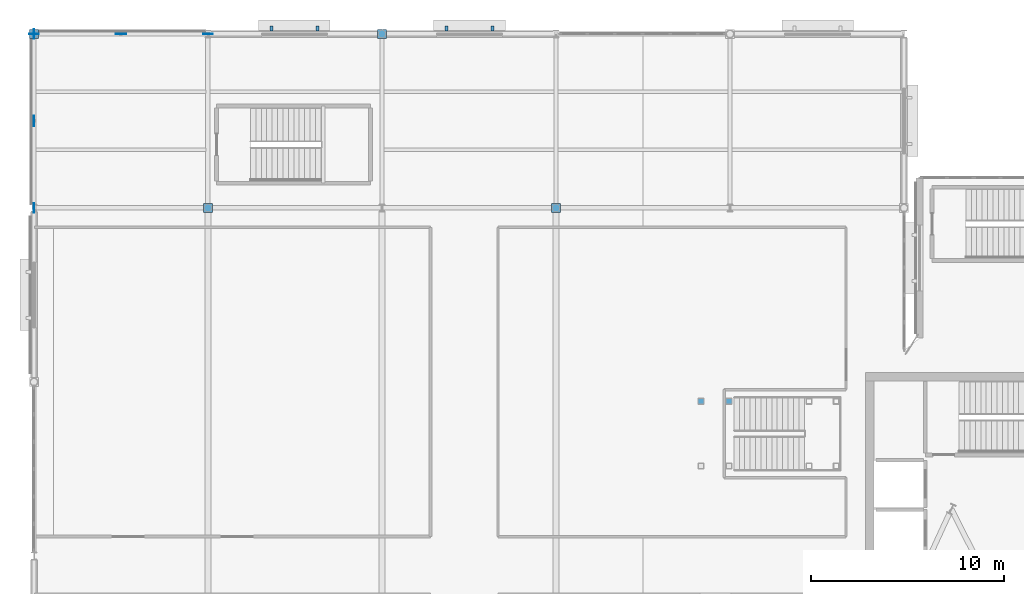
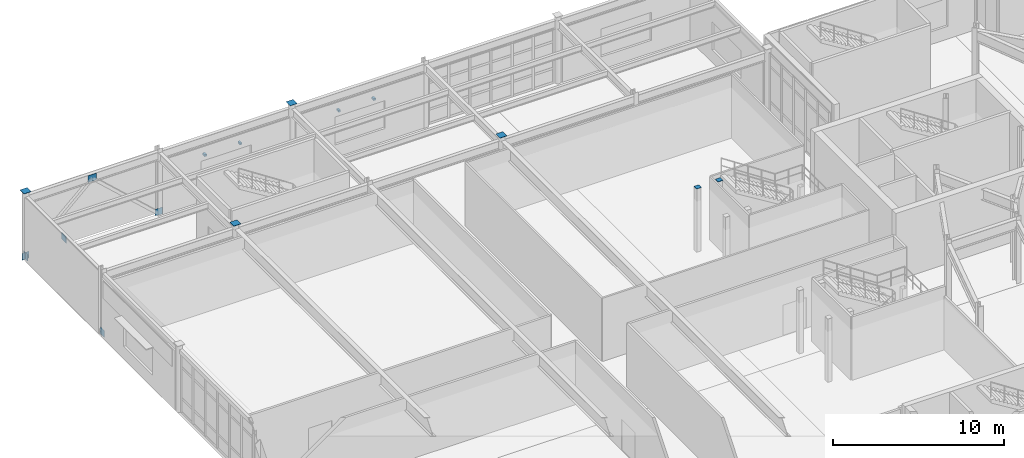
# One storey, part 74 of 84: 16 discrete accessories.
"""IFC4 building model written with IfcOpenShell, lengths in metres."""

import ifcopenshell
import ifcopenshell.guid

model = None  # the IFC model being written
_history = None  # IfcOwnerHistory: only IFC2X3 demands one
_inside = {}  # id of a spatial element -> (the spatial element, [elements in it])
_under = {}  # id of a project, library or spatial element -> (it, [spatial elements below it])
_declared = {}  # id of a project -> (the project, [libraries it declares])
_typed = {}  # id of a type object -> (the type object, [elements of that type])
_made_of = {}  # id of a material, layer set ... -> (it, [elements and type objects made of it])


def new_model(schema):
    """Start an empty IFC model of exactly this schema.

    Asked for "IFC4X3", IfcOpenShell would pick the latest addendum, in which some entities
    have other attributes; the version numbers below select the first issue.
    IFC2X3 requires an IfcOwnerHistory on every rooted entity: one is made here for all.
    """
    global model, _history
    if schema == "IFC4X3":
        model = ifcopenshell.file(schema_version=(4, 3, 0, 0))
    else:
        model = ifcopenshell.file(schema=schema)
    _inside.clear()
    _under.clear()
    _declared.clear()
    _typed.clear()
    _made_of.clear()
    _history = None
    if model.schema == "IFC2X3":
        org = make("IfcOrganization", Name="unknown")
        user = make(
            "IfcPersonAndOrganization",
            ThePerson=make("IfcPerson", FamilyName="unknown"),
            TheOrganization=org,
        )
        app = make(
            "IfcApplication",
            ApplicationDeveloper=org,
            Version="unknown",
            ApplicationFullName="unknown",
            ApplicationIdentifier="unknown",
        )
        _history = make(
            "IfcOwnerHistory",
            OwningUser=user,
            OwningApplication=app,
            ChangeAction="ADDED",
            CreationDate=0,
        )
    return model


def make(cls, **values):
    """One entity of the class cls with the attributes given. An attribute that is None is left unset."""
    return model.create_entity(
        cls, **{name: value for name, value in values.items() if value is not None}
    )


def rooted(cls, **values):
    """An entity with a GlobalId (a new one), such as an element, a storey or a relation."""
    return make(cls, GlobalId=ifcopenshell.guid.new(), OwnerHistory=_history, **values)


def si_unit(unit_type, name, prefix=None):
    """IfcSIUnit, for example si_unit("LENGTHUNIT", "METRE", prefix="MILLI")."""
    return make("IfcSIUnit", UnitType=unit_type, Prefix=prefix, Name=name)


def assignment(units):
    """IfcUnitAssignment: the units of a project."""
    return None if units is None else make("IfcUnitAssignment", Units=units)


def point(xyz):
    """IfcCartesianPoint."""
    return None if xyz is None else make("IfcCartesianPoint", Coordinates=xyz)


def direction(xyz):
    """IfcDirection."""
    return None if xyz is None else make("IfcDirection", DirectionRatios=xyz)


def frame(location, z_axis=None, x_axis=None):
    """IfcAxis2Placement3D, a coordinate frame: its origin and axes. An axis left out is left unset."""
    return make(
        "IfcAxis2Placement3D",
        Location=point(location),
        Axis=direction(z_axis),
        RefDirection=direction(x_axis),
    )


def frame_2d(location, x_axis=None):
    """IfcAxis2Placement2D, a coordinate frame in the plane: its origin and x axis."""
    return make(
        "IfcAxis2Placement2D", Location=point(location), RefDirection=direction(x_axis)
    )


def origin():
    """The frame at (0, 0, 0) with its axes left unset."""
    return frame((0.0, 0.0, 0.0))


def origin_2d():
    """The frame at (0, 0) in the plane with its x axis left unset."""
    return frame_2d((0.0, 0.0))


def place(relative_to, where):
    """IfcLocalPlacement: puts the frame where relative to a parent placement (None: the world)."""
    return make(
        "IfcLocalPlacement", PlacementRelTo=relative_to, RelativePlacement=where
    )


def context(
    kind, dimensions, precision=None, world=None, true_north=None, identifier=None
):
    """IfcGeometricRepresentationContext, for example the 3D "Model" context."""
    return make(
        "IfcGeometricRepresentationContext",
        ContextIdentifier=identifier,
        ContextType=kind,
        CoordinateSpaceDimension=dimensions,
        Precision=precision,
        WorldCoordinateSystem=world,
        TrueNorth=true_north,
    )


def subcontext(parent, identifier, kind, view, scale=None):
    """IfcGeometricRepresentationSubContext, for example "Body" below "Model"."""
    return make(
        "IfcGeometricRepresentationSubContext",
        ContextIdentifier=identifier,
        ContextType=kind,
        ParentContext=parent,
        TargetScale=scale,
        TargetView=view,
    )


def project(units=None, contexts=None):
    """IfcProject with its units and contexts."""
    return rooted(
        "IfcProject",
        Name="project",
        RepresentationContexts=contexts,
        UnitsInContext=assignment(units),
    )


def spatial(cls, under=None, at=None, **own):
    """A site, building, storey or space (cls), placed at a placement, below another one or the project."""
    s = rooted(cls, ObjectPlacement=at, **own)
    if under is not None:
        _under.setdefault(under.id(), (under, []))[1].append(s)
    return s


def profile(cls, at=None, kind="AREA", **sizes):
    """A parametric profile (cls). Its sizes go by their IFC names, for example OverallWidth=200.0."""
    return make(cls, ProfileType=kind, Position=at, **sizes)


def rectangle(**sizes):
    """IfcRectangleProfileDef."""
    return profile("IfcRectangleProfileDef", **sizes)


def extrude(swept, where, along, depth):
    """IfcExtrudedAreaSolid: the profile swept, set in the frame where, extruded along a direction by depth."""
    return make(
        "IfcExtrudedAreaSolid",
        SweptArea=swept,
        Position=where,
        ExtrudedDirection=direction(along),
        Depth=depth,
    )


def shape(context_of_items, identifier, shape_type, items):
    """IfcShapeRepresentation: the items that make up one representation, for example the "Body"."""
    return make(
        "IfcShapeRepresentation",
        ContextOfItems=context_of_items,
        RepresentationIdentifier=identifier,
        RepresentationType=shape_type,
        Items=items,
    )


def material(Name=None, Category=None):
    """IfcMaterial."""
    return make("IfcMaterial", Name=Name, Category=Category)


def made_of(thing, what):
    """Note that an element or type object is made of a material, layer set ...; save() writes the relation."""
    if what is not None:
        _made_of.setdefault(what.id(), (what, []))[1].append(thing)
    return thing


def type_object(cls, material=None, **own):
    """A type object (cls), such as IfcWallType, which elements share."""
    return made_of(rooted(cls, **own), material)


def element(
    cls,
    number,
    at=None,
    inside=None,
    cuts=None,
    type_object=None,
    material=None,
    context=None,
    identifier="Body",
    shape_type=None,
    held_by="IfcProductDefinitionShape",
    body=None,
    shapes=None,
    **own,
):
    """One element of the class cls, such as IfcWall. Its Tag is "e" and its number.

    at: its placement. inside: the storey or other place that contains it. cuts: it is an
    opening in that element (IfcRelVoidsElement). A single representation is given by context,
    identifier, shape_type and body (its items); several are given by shapes. held_by: the class
    of the entity that holds the representations. save() writes the other relations.
    """
    e = rooted(cls, Tag="e%d" % number, ObjectPlacement=at, **own)
    if body is not None:
        shapes = [shape(context, identifier, shape_type, body)]
    if shapes is not None:
        e.Representation = make(held_by, Representations=shapes)
    if inside is not None:
        _inside.setdefault(inside.id(), (inside, []))[1].append(e)
    if cuts is not None:
        rooted(
            "IfcRelVoidsElement", RelatingBuildingElement=cuts, RelatedOpeningElement=e
        )
    if type_object is not None:
        _typed.setdefault(type_object.id(), (type_object, []))[1].append(e)
    return made_of(e, material)


def aggregate(whole, parts):
    """IfcRelAggregates: a whole, such as a stair, and the parts it consists of."""
    return rooted("IfcRelAggregates", RelatingObject=whole, RelatedObjects=parts)


def save(model, path):
    """Write the relations noted so far, then the file.

    IfcRelAggregates (storeys below a building ...), IfcRelContainedInSpatialStructure (elements
    in a storey), IfcRelDefinesByType, IfcRelAssociatesMaterial and IfcRelDeclares: one each for
    every whole, place, type object, material and project.
    """
    for whole, parts in _under.values():
        aggregate(whole, parts)
    for where, things in _inside.values():
        rooted(
            "IfcRelContainedInSpatialStructure",
            RelatedElements=things,
            RelatingStructure=where,
        )
    for kind, things in _typed.values():
        rooted("IfcRelDefinesByType", RelatedObjects=things, RelatingType=kind)
    for what, things in _made_of.values():
        rooted("IfcRelAssociatesMaterial", RelatedObjects=things, RelatingMaterial=what)
    for by, libraries in _declared.values():
        rooted("IfcRelDeclares", RelatingContext=by, RelatedDefinitions=libraries)
    model.write(path)


model = new_model("IFC4")

# Units and contexts
model_context = context("Model", 3, precision=1e-05, world=origin(), true_north=direction((0.0, 1.0)))
body_context = subcontext(model_context, "Body", "Model", "MODEL_VIEW")
ifc_project = project(units=[si_unit("LENGTHUNIT", "METRE"), si_unit("AREAUNIT", "SQUARE_METRE"), si_unit("VOLUMEUNIT", "CUBIC_METRE"), si_unit("PLANEANGLEUNIT", "RADIAN"), si_unit("MASSUNIT", "GRAM", prefix="KILO")], contexts=[model_context])

# Site, building, storey
site_placement = place(None, origin())
site = spatial("IfcSite", under=ifc_project, at=site_placement, CompositionType="ELEMENT")
building_placement = place(site_placement, origin())
building = spatial("IfcBuilding", under=site, at=building_placement, Name="Glasvene Arena", CompositionType="ELEMENT")
storey_placement = place(building_placement, frame((0.0, 0.0, 10.199951171875)))
storey = spatial("IfcBuildingStorey", under=building, at=storey_placement, Name="L02", CompositionType="ELEMENT", Elevation=10.199951171875)

# Discrete accessories
ifc_material_1 = material(Name="Steel S355J2", Category="steel")
discrete_accessory_type_1 = type_object("IfcDiscreteAccessoryType", Name="ACC-BRACE-GP20", PredefinedType="BRACKET", material=ifc_material_1)
for number, where, z_axis, x_axis, name in (
    (1, (0.0, 109.0, -0.06982421875), (0.0, 0.0, 1.0), (1.0, 0.0, 0.0), "Chevron brace base gusset plate L02-021-A"),
    (2, (0.0, 118.0, -0.06982421875), (0.0, 0.0, 1.0), (1.0, 0.0, 0.0), "Chevron brace base gusset plate L02-022-B"),
):
    element("IfcDiscreteAccessory", number, at=place(storey_placement, frame(where, z_axis=z_axis, x_axis=x_axis)), inside=storey, type_object=discrete_accessory_type_1, Name=name, PredefinedType="BRACKET", context=body_context, shape_type="SweptSolid", body=[
        extrude(rectangle(XDim=0.02001953125, YDim=0.47998046875, at=origin_2d()), origin(), (0.0, 0.0, 1.0), 0.47998046875),
    ])
discrete_accessory_1_placement = place(storey_placement, frame((0.0, 113.5, 3.93017578125), z_axis=(0.0, 0.0, 1.0), x_axis=(1.0, 0.0, 0.0)))
element("IfcDiscreteAccessory", 3, at=discrete_accessory_1_placement, inside=storey, type_object=discrete_accessory_type_1, Name="Chevron brace apex gusset plate L02-022", PredefinedType="BRACKET", context=body_context, shape_type="SweptSolid", body=[
    extrude(rectangle(XDim=0.02001953125, YDim=0.56005859375, at=origin_2d()), origin(), (0.0, 0.0, 1.0), 0.47998046875),
])
for number, where, z_axis, x_axis, name in (
    (4, (0.0, 118.0, -0.06982421875), (0.0, 0.0, 1.0), (1.0, 0.0, 0.0), "Chevron brace base gusset plate L02-029-A"),
    (5, (9.0, 118.0, -0.06982421875), (0.0, 0.0, 1.0), (1.0, 0.0, 0.0), "Chevron brace base gusset plate L02-030-B"),
):
    element("IfcDiscreteAccessory", number, at=place(storey_placement, frame(where, z_axis=z_axis, x_axis=x_axis)), inside=storey, type_object=discrete_accessory_type_1, Name=name, PredefinedType="BRACKET", context=body_context, shape_type="SweptSolid", body=[
        extrude(rectangle(XDim=0.47998046875, YDim=0.02001953125, at=origin_2d()), origin(), (0.0, 0.0, 1.0), 0.47998046875),
    ])
discrete_accessory_2_placement = place(storey_placement, frame((4.5, 118.0, 3.93017578125), z_axis=(0.0, 0.0, 1.0), x_axis=(1.0, 0.0, 0.0)))
element("IfcDiscreteAccessory", 6, at=discrete_accessory_2_placement, inside=storey, type_object=discrete_accessory_type_1, Name="Chevron brace apex gusset plate L02-030", PredefinedType="BRACKET", context=body_context, shape_type="SweptSolid", body=[
    extrude(rectangle(XDim=0.56005859375, YDim=0.02001953125, at=origin_2d()), origin(), (0.0, 0.0, 1.0), 0.47998046875),
])
discrete_accessory_type_2 = type_object("IfcDiscreteAccessoryType", Name="ACC-CAP-CHS420", PredefinedType="USERDEFINED", material=ifc_material_1)
for number, where, z_axis, x_axis, name in (
    (7, (0.0, 118.0, 4.798095703125), (0.0, 0.0, 1.0), (1.0, 0.0, 0.0), "Hollow column top cap plate 1-14 L02"),
    (8, (9.0, 109.0, 4.798095703125), (0.0, 0.0, 1.0), (1.0, 0.0, 0.0), "Hollow column top cap plate 2-13 L02"),
    (9, (18.0, 118.0, 4.798095703125), (0.0, 0.0, 1.0), (1.0, 0.0, 0.0), "Hollow column top cap plate 3-14 L02"),
    (10, (27.0, 109.0, 4.798095703125), (0.0, 0.0, 1.0), (1.0, 0.0, 0.0), "Hollow column top cap plate 4-13 L02"),
):
    element("IfcDiscreteAccessory", number, at=place(storey_placement, frame(where, z_axis=z_axis, x_axis=x_axis)), inside=storey, type_object=discrete_accessory_type_2, Name=name, ObjectType="CAP PLATE", PredefinedType="USERDEFINED", context=body_context, shape_type="SweptSolid", body=[
        extrude(rectangle(XDim=0.47998046875, YDim=0.47998046875, at=origin_2d()), origin(), (0.0, 0.0, 1.0), 0.02001953125),
    ])
discrete_accessory_type_3 = type_object("IfcDiscreteAccessoryType", Name="ACC-CAP-SHS320", PredefinedType="USERDEFINED", material=ifc_material_1)
for number, where, z_axis, x_axis, name in (
    (11, (34.5, 99.0, 4.51806640625), (0.0, 0.0, 1.0), (1.0, 0.0, 0.0), "Vomitory column cap plate VOM-06"),
    (12, (35.949951171875, 99.0, 4.51806640625), (0.0, 0.0, 1.0), (1.0, 0.0, 0.0), "Vomitory column cap plate VOM-06"),
):
    element("IfcDiscreteAccessory", number, at=place(storey_placement, frame(where, z_axis=z_axis, x_axis=x_axis)), inside=storey, type_object=discrete_accessory_type_3, Name=name, ObjectType="CAP PLATE", PredefinedType="USERDEFINED", context=body_context, shape_type="SweptSolid", body=[
        extrude(rectangle(XDim=0.320068359375, YDim=0.320068359375, at=origin_2d()), origin(), (0.0, 0.0, 1.0), 0.02001953125),
    ])
ifc_material_2 = material(Name="Warm bronze architectural aluminium", Category="aluminium")
discrete_accessory_type_4 = type_object("IfcDiscreteAccessoryType", Name="ACC-FIN-BRK", PredefinedType="BRACKET", material=ifc_material_2)
for number, where, z_axis, x_axis, name in (
    (13, (12.283447265625, 118.280029296875, 2.8701171875), (0.0, 0.0, 1.0), (1.0, 0.0, 0.0), "Brise-soleil wall bracket BK-047"),
    (14, (14.663330078125, 118.280029296875, 2.8701171875), (0.0, 0.0, 1.0), (1.0, 0.0, 0.0), "Brise-soleil wall bracket BK-047"),
    (15, (21.336669921875, 118.280029296875, 2.8701171875), (0.0, 0.0, 1.0), (1.0, 0.0, 0.0), "Brise-soleil wall bracket BK-048"),
    (16, (23.716552734375, 118.280029296875, 2.8701171875), (0.0, 0.0, 1.0), (1.0, 0.0, 0.0), "Brise-soleil wall bracket BK-048"),
):
    element("IfcDiscreteAccessory", number, at=place(storey_placement, frame(where, z_axis=z_axis, x_axis=x_axis)), inside=storey, type_object=discrete_accessory_type_4, Name=name, PredefinedType="BRACKET", context=body_context, shape_type="SweptSolid", body=[
        extrude(rectangle(XDim=0.139892578125, YDim=0.239990234375, at=origin_2d()), origin(), (0.0, 0.0, 1.0), 0.139892578125),
    ])

save(model, "model.ifc")
